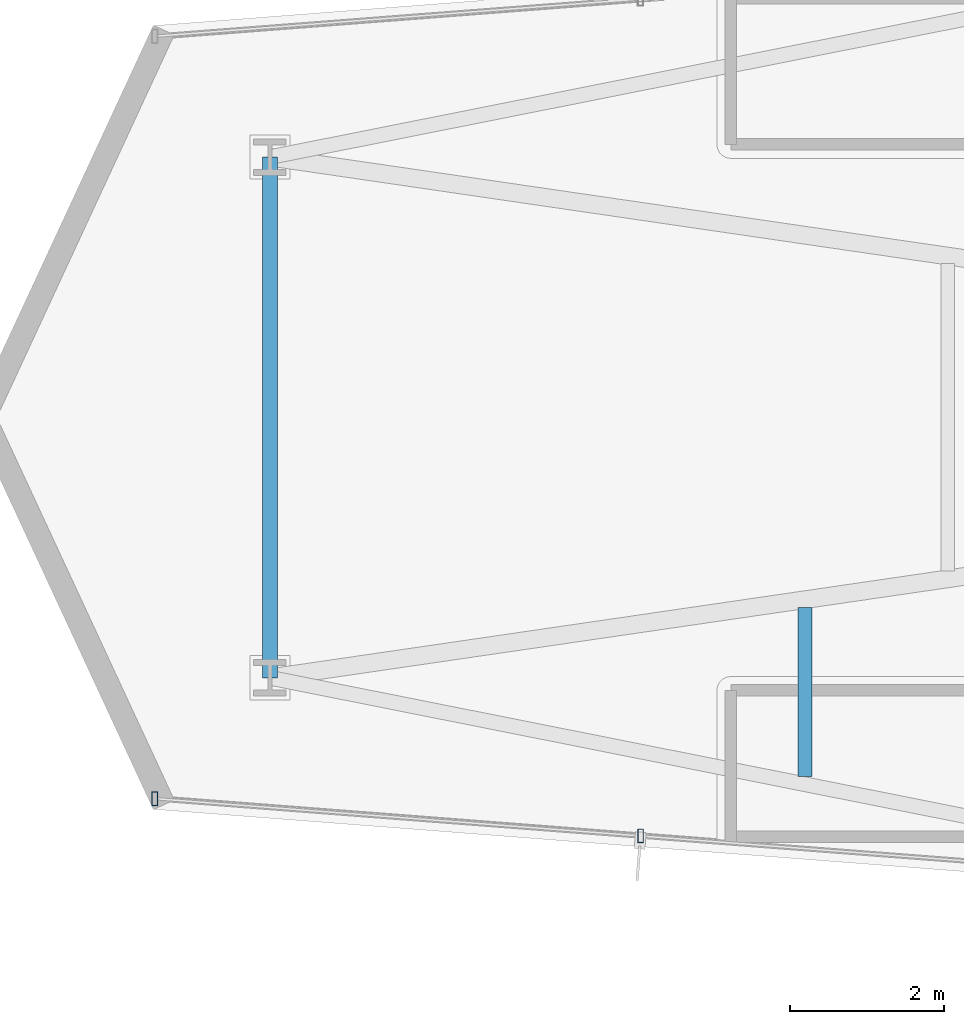
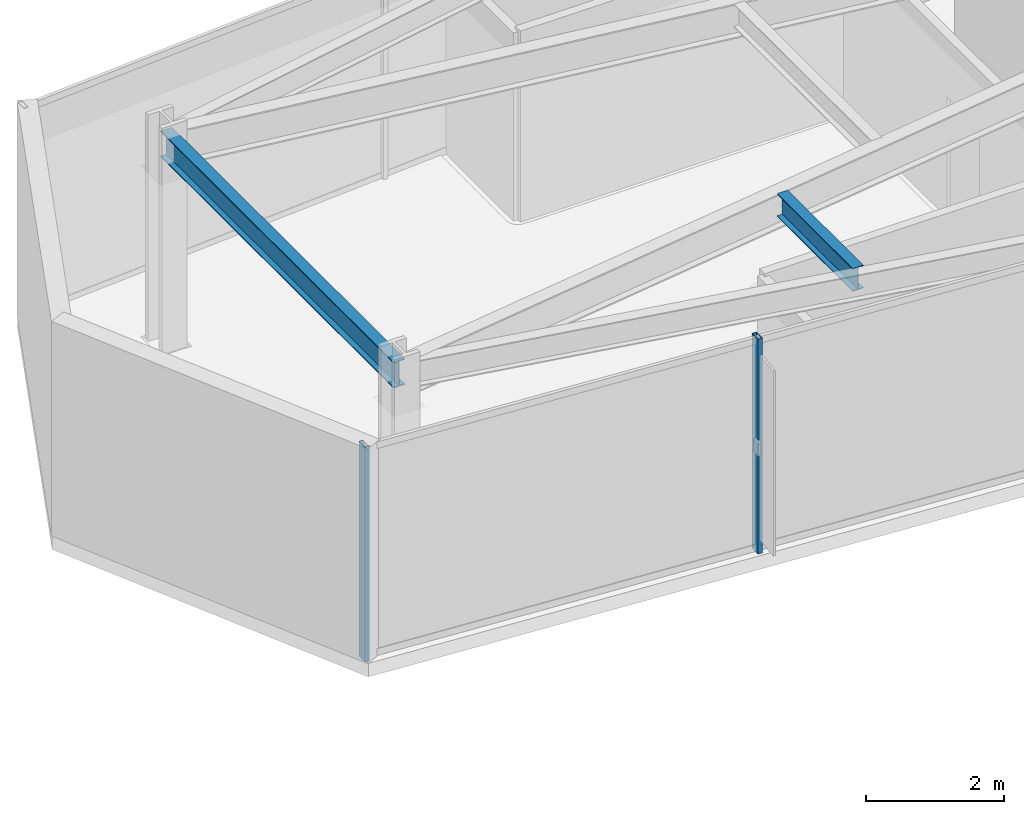
# One storey, part 6 of 30: 2 beams, 2 members, 1 element without a shape of its own.
"""IFC4 building model written with IfcOpenShell, lengths in metres."""

from ifc_helpers import new_model, si_unit, direction, frame, origin, origin_2d, place, context, subcontext, project, spatial, hollow_rectangle, i_section, extrude, material, layer, layer_set, material_profile, profile_set, type_object, element, aggregate, save


model = new_model("IFC4")

# Units and contexts
model_context = context("Model", 3, precision=1e-05, world=origin(), true_north=direction((0.0, 1.0)))
body_context = subcontext(model_context, "Body", "Model", "MODEL_VIEW")
ifc_project = project(units=[si_unit("LENGTHUNIT", "METRE"), si_unit("AREAUNIT", "SQUARE_METRE"), si_unit("VOLUMEUNIT", "CUBIC_METRE"), si_unit("PLANEANGLEUNIT", "RADIAN"), si_unit("MASSUNIT", "GRAM", prefix="KILO")], contexts=[model_context])

# Site, building, storey
site_placement = place(None, origin())
site = spatial("IfcSite", under=ifc_project, at=site_placement, CompositionType="ELEMENT")
building_placement = place(site_placement, origin())
building = spatial("IfcBuilding", under=site, at=building_placement, Name="Veymaron Broadcast Tower", CompositionType="ELEMENT")
storey_placement = place(building_placement, frame((0.0, 0.0, 37.800048828125)))
storey = spatial("IfcBuildingStorey", under=building, at=storey_placement, Name="L07", CompositionType="ELEMENT", Elevation=37.800048828125)

# Beams
ifc_material_1 = material(Name="Structural steel ASTM A992 Gr 50", Category="steel")
ifc_material_profile_1 = material_profile(ifc_material_1, i_section(OverallWidth=0.177978515625, OverallDepth=0.406982421875, WebThickness=0.0078125, FlangeThickness=0.0126953125, at=origin_2d()), Name="W410X60")
ifc_profile_set_1 = profile_set([ifc_material_profile_1], Name="Structural steel ASTM A992 Gr 50")
beam_type_1 = type_object("IfcBeamType", Name="BM-JS1", PredefinedType="JOIST", material=ifc_profile_set_1)
beam_1_placement = place(storey_placement, frame((14.96484375, 19.33056640625, 3.6064453125), z_axis=(0.0, 1.0, 0.0), x_axis=(-1.0, 0.0, 0.0)))
element("IfcBeam", 1, at=beam_1_placement, inside=storey, type_object=beam_type_1, Name="L07 Arm-A secondary joist 1S", PredefinedType="JOIST", context=body_context, shape_type="SweptSolid", body=[
    extrude(i_section(OverallWidth=0.177978515625, OverallDepth=0.406982421875, WebThickness=0.0078125, FlangeThickness=0.0126953125, at=origin_2d()), origin(), (0.0, 0.0, 1.0), 2.199951171875),
])
ifc_material_profile_2 = material_profile(ifc_material_1, i_section(OverallWidth=0.19091796875, OverallDepth=0.4599609375, WebThickness=0.010009765625, FlangeThickness=0.01611328125, at=origin_2d()), Name="W460X82")
ifc_profile_set_2 = profile_set([ifc_material_profile_2], Name="Structural steel ASTM A992 Gr 50")
beam_type_2 = type_object("IfcBeamType", Name="BM-SP1", PredefinedType="SPANDREL", material=ifc_profile_set_2)
beam_2_placement = place(storey_placement, frame((8.007080078125, 20.614990234375, 3.579833984375), z_axis=(0.0, 1.0, 0.0), x_axis=(-1.0, 0.0, 0.0)))
element("IfcBeam", 2, at=beam_2_placement, inside=storey, type_object=beam_type_2, Name="L07 primary structural floor girder", PredefinedType="SPANDREL", context=body_context, shape_type="SweptSolid", body=[
    extrude(i_section(OverallWidth=0.19091796875, OverallDepth=0.4599609375, WebThickness=0.010009765625, FlangeThickness=0.01611328125, at=origin_2d()), origin(), (0.0, 0.0, 1.0), 6.77001953125),
])

# Curtain wall, members
ifc_material_2 = material(Name="Anodised aluminium AA 6063-T6 and laminated low-E dark glass", Category="aluminium")
ifc_layer = layer(ifc_material_2, 0.179931640625)
ifc_layer_set = layer_set([ifc_layer], Name="Anodised aluminium AA 6063-T6 and laminated low-E dark glass")
curtain_wall_type = type_object("IfcCurtainWallType", Name="CW-SYS-02", PredefinedType="NOTDEFINED", material=ifc_layer_set)
curtain_wall_placement = place(storey_placement, origin())
curtain_wall = element("IfcCurtainWall", 3, at=curtain_wall_placement, inside=storey, type_object=curtain_wall_type, Name="L07 dark-glass curtain wall CW-L07-E14-1", PredefinedType="NOTDEFINED")
ifc_material_3 = material(Name="Anodised aluminium AA 6063-T6", Category="aluminium")
ifc_material_profile_3 = material_profile(ifc_material_3, hollow_rectangle(XDim=0.074951171875, YDim=0.179931640625, WallThickness=0.0048828125, at=origin_2d()), Name="AL180X75X5")
ifc_profile_set_3 = profile_set([ifc_material_profile_3], Name="Anodised aluminium AA 6063-T6")
member_type = type_object("IfcMemberType", Name="CW-MUL-02", PredefinedType="MULLION", material=ifc_profile_set_3)
member_1_placement = place(storey_placement, frame((6.5107421875, 19.04345703125, 0.0), z_axis=(0.0, 0.0, 1.0), x_axis=(1.0, 0.0, 0.0)))
member_1 = element("IfcMember", 4, at=member_1_placement, type_object=member_type, Name="CW-L07-E14-1 mullion 0", PredefinedType="MULLION", context=body_context, shape_type="SweptSolid", body=[
    extrude(hollow_rectangle(XDim=0.074951171875, YDim=0.179931640625, WallThickness=0.0048828125, at=origin_2d()), origin(), (0.0, 0.0, 1.0), 3.81005859375),
])
member_2_placement = place(storey_placement, frame((12.82666015625, 18.558349609375, 0.0), z_axis=(0.0, 0.0, 1.0), x_axis=(1.0, 0.0, 0.0)))
member_2 = element("IfcMember", 5, at=member_2_placement, type_object=member_type, Name="CW-L07-E14-1 mullion 1", PredefinedType="MULLION", context=body_context, shape_type="SweptSolid", body=[
    extrude(hollow_rectangle(XDim=0.074951171875, YDim=0.179931640625, WallThickness=0.0048828125, at=origin_2d()), origin(), (0.0, 0.0, 1.0), 3.81005859375),
])
aggregate(curtain_wall, [member_1, member_2])

save(model, "model.ifc")
